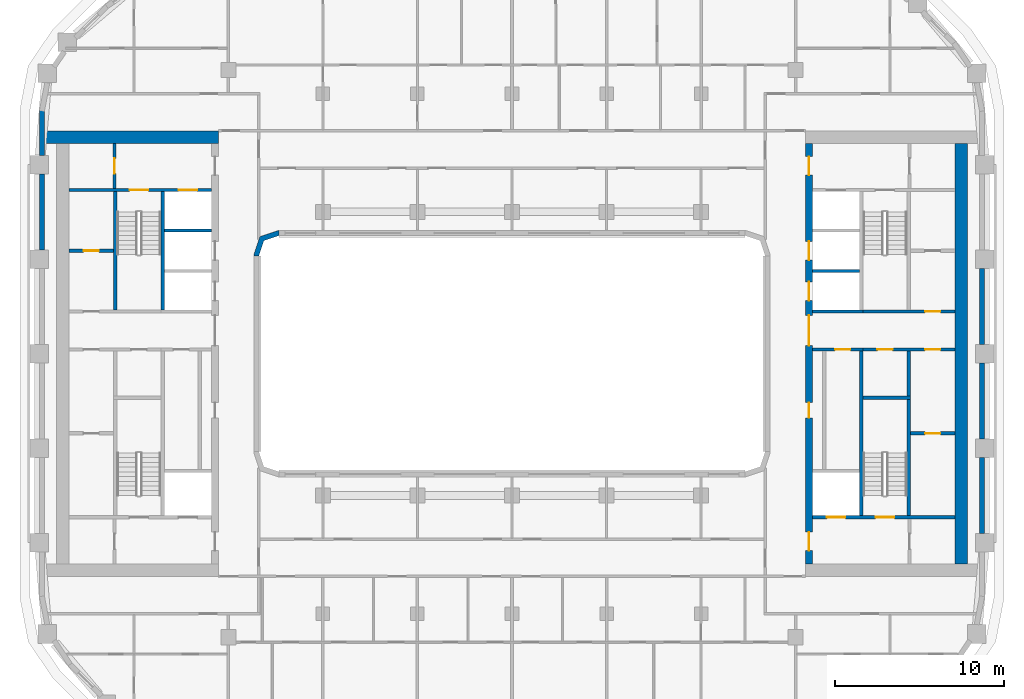
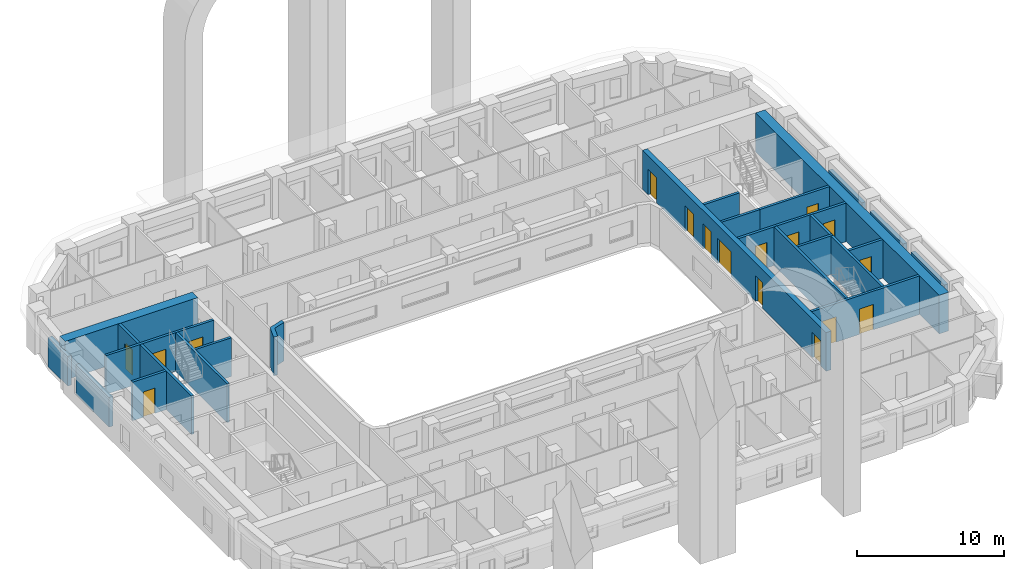
# One storey, part 6 of 18: 26 walls, 17 doors, 17 openings.
"""IFC4 building model written with IfcOpenShell, lengths in metres."""

import ifcopenshell
import ifcopenshell.guid

model = None  # the IFC model being written
_history = None  # IfcOwnerHistory: only IFC2X3 demands one
_inside = {}  # id of a spatial element -> (the spatial element, [elements in it])
_under = {}  # id of a project, library or spatial element -> (it, [spatial elements below it])
_declared = {}  # id of a project -> (the project, [libraries it declares])
_typed = {}  # id of a type object -> (the type object, [elements of that type])
_made_of = {}  # id of a material, layer set ... -> (it, [elements and type objects made of it])


def new_model(schema):
    """Start an empty IFC model of exactly this schema.

    Asked for "IFC4X3", IfcOpenShell would pick the latest addendum, in which some entities
    have other attributes; the version numbers below select the first issue.
    IFC2X3 requires an IfcOwnerHistory on every rooted entity: one is made here for all.
    """
    global model, _history
    if schema == "IFC4X3":
        model = ifcopenshell.file(schema_version=(4, 3, 0, 0))
    else:
        model = ifcopenshell.file(schema=schema)
    _inside.clear()
    _under.clear()
    _declared.clear()
    _typed.clear()
    _made_of.clear()
    _history = None
    if model.schema == "IFC2X3":
        org = make("IfcOrganization", Name="unknown")
        user = make(
            "IfcPersonAndOrganization",
            ThePerson=make("IfcPerson", FamilyName="unknown"),
            TheOrganization=org,
        )
        app = make(
            "IfcApplication",
            ApplicationDeveloper=org,
            Version="unknown",
            ApplicationFullName="unknown",
            ApplicationIdentifier="unknown",
        )
        _history = make(
            "IfcOwnerHistory",
            OwningUser=user,
            OwningApplication=app,
            ChangeAction="ADDED",
            CreationDate=0,
        )
    return model


def make(cls, **values):
    """One entity of the class cls with the attributes given. An attribute that is None is left unset."""
    return model.create_entity(
        cls, **{name: value for name, value in values.items() if value is not None}
    )


def rooted(cls, **values):
    """An entity with a GlobalId (a new one), such as an element, a storey or a relation."""
    return make(cls, GlobalId=ifcopenshell.guid.new(), OwnerHistory=_history, **values)


def si_unit(unit_type, name, prefix=None):
    """IfcSIUnit, for example si_unit("LENGTHUNIT", "METRE", prefix="MILLI")."""
    return make("IfcSIUnit", UnitType=unit_type, Prefix=prefix, Name=name)


def assignment(units):
    """IfcUnitAssignment: the units of a project."""
    return None if units is None else make("IfcUnitAssignment", Units=units)


def point(xyz):
    """IfcCartesianPoint."""
    return None if xyz is None else make("IfcCartesianPoint", Coordinates=xyz)


def direction(xyz):
    """IfcDirection."""
    return None if xyz is None else make("IfcDirection", DirectionRatios=xyz)


def frame(location, z_axis=None, x_axis=None):
    """IfcAxis2Placement3D, a coordinate frame: its origin and axes. An axis left out is left unset."""
    return make(
        "IfcAxis2Placement3D",
        Location=point(location),
        Axis=direction(z_axis),
        RefDirection=direction(x_axis),
    )


def frame_2d(location, x_axis=None):
    """IfcAxis2Placement2D, a coordinate frame in the plane: its origin and x axis."""
    return make(
        "IfcAxis2Placement2D", Location=point(location), RefDirection=direction(x_axis)
    )


def origin():
    """The frame at (0, 0, 0) with its axes left unset."""
    return frame((0.0, 0.0, 0.0))


def place(relative_to, where):
    """IfcLocalPlacement: puts the frame where relative to a parent placement (None: the world)."""
    return make(
        "IfcLocalPlacement", PlacementRelTo=relative_to, RelativePlacement=where
    )


def context(
    kind, dimensions, precision=None, world=None, true_north=None, identifier=None
):
    """IfcGeometricRepresentationContext, for example the 3D "Model" context."""
    return make(
        "IfcGeometricRepresentationContext",
        ContextIdentifier=identifier,
        ContextType=kind,
        CoordinateSpaceDimension=dimensions,
        Precision=precision,
        WorldCoordinateSystem=world,
        TrueNorth=true_north,
    )


def subcontext(parent, identifier, kind, view, scale=None):
    """IfcGeometricRepresentationSubContext, for example "Body" below "Model"."""
    return make(
        "IfcGeometricRepresentationSubContext",
        ContextIdentifier=identifier,
        ContextType=kind,
        ParentContext=parent,
        TargetScale=scale,
        TargetView=view,
    )


def project(units=None, contexts=None):
    """IfcProject with its units and contexts."""
    return rooted(
        "IfcProject",
        Name="project",
        RepresentationContexts=contexts,
        UnitsInContext=assignment(units),
    )


def spatial(cls, under=None, at=None, **own):
    """A site, building, storey or space (cls), placed at a placement, below another one or the project."""
    s = rooted(cls, ObjectPlacement=at, **own)
    if under is not None:
        _under.setdefault(under.id(), (under, []))[1].append(s)
    return s


def polyline(points):
    """IfcPolyline through the points."""
    return make("IfcPolyline", Points=[point(p) for p in points])


def profile(cls, at=None, kind="AREA", **sizes):
    """A parametric profile (cls). Its sizes go by their IFC names, for example OverallWidth=200.0."""
    return make(cls, ProfileType=kind, Position=at, **sizes)


def rectangle(**sizes):
    """IfcRectangleProfileDef."""
    return profile("IfcRectangleProfileDef", **sizes)


def outline(outer, holes=None, kind="AREA"):
    """IfcArbitraryClosedProfileDef: a profile drawn as a closed curve; with holes, ...WithVoids."""
    if holes is None:
        return make("IfcArbitraryClosedProfileDef", ProfileType=kind, OuterCurve=outer)
    return make(
        "IfcArbitraryProfileDefWithVoids",
        ProfileType=kind,
        OuterCurve=outer,
        InnerCurves=holes,
    )


def extrude(swept, where, along, depth):
    """IfcExtrudedAreaSolid: the profile swept, set in the frame where, extruded along a direction by depth."""
    return make(
        "IfcExtrudedAreaSolid",
        SweptArea=swept,
        Position=where,
        ExtrudedDirection=direction(along),
        Depth=depth,
    )


def shape(context_of_items, identifier, shape_type, items):
    """IfcShapeRepresentation: the items that make up one representation, for example the "Body"."""
    return make(
        "IfcShapeRepresentation",
        ContextOfItems=context_of_items,
        RepresentationIdentifier=identifier,
        RepresentationType=shape_type,
        Items=items,
    )


def material(Name=None, Category=None):
    """IfcMaterial."""
    return make("IfcMaterial", Name=Name, Category=Category)


def layer(
    of_material, thickness, ventilated=None, Name=None, Category=None, Priority=None
):
    """IfcMaterialLayer: one layer of a wall or slab, of a material (None: an air gap)."""
    return make(
        "IfcMaterialLayer",
        Material=of_material,
        LayerThickness=thickness,
        IsVentilated=ventilated,
        Name=Name,
        Category=Category,
        Priority=Priority,
    )


def layer_set(layers, Name=None):
    """IfcMaterialLayerSet."""
    return make("IfcMaterialLayerSet", MaterialLayers=layers, LayerSetName=Name)


def made_of(thing, what):
    """Note that an element or type object is made of a material, layer set ...; save() writes the relation."""
    if what is not None:
        _made_of.setdefault(what.id(), (what, []))[1].append(thing)
    return thing


def type_object(cls, material=None, **own):
    """A type object (cls), such as IfcWallType, which elements share."""
    return made_of(rooted(cls, **own), material)


def element(
    cls,
    number,
    at=None,
    inside=None,
    cuts=None,
    type_object=None,
    material=None,
    context=None,
    identifier="Body",
    shape_type=None,
    held_by="IfcProductDefinitionShape",
    body=None,
    shapes=None,
    **own,
):
    """One element of the class cls, such as IfcWall. Its Tag is "e" and its number.

    at: its placement. inside: the storey or other place that contains it. cuts: it is an
    opening in that element (IfcRelVoidsElement). A single representation is given by context,
    identifier, shape_type and body (its items); several are given by shapes. held_by: the class
    of the entity that holds the representations. save() writes the other relations.
    """
    e = rooted(cls, Tag="e%d" % number, ObjectPlacement=at, **own)
    if body is not None:
        shapes = [shape(context, identifier, shape_type, body)]
    if shapes is not None:
        e.Representation = make(held_by, Representations=shapes)
    if inside is not None:
        _inside.setdefault(inside.id(), (inside, []))[1].append(e)
    if cuts is not None:
        rooted(
            "IfcRelVoidsElement", RelatingBuildingElement=cuts, RelatedOpeningElement=e
        )
    if type_object is not None:
        _typed.setdefault(type_object.id(), (type_object, []))[1].append(e)
    return made_of(e, material)


def fill(opening, filler):
    """IfcRelFillsElement: the door or window that sits in an opening."""
    return rooted(
        "IfcRelFillsElement",
        RelatingOpeningElement=opening,
        RelatedBuildingElement=filler,
    )


def aggregate(whole, parts):
    """IfcRelAggregates: a whole, such as a stair, and the parts it consists of."""
    return rooted("IfcRelAggregates", RelatingObject=whole, RelatedObjects=parts)


def save(model, path):
    """Write the relations noted so far, then the file.

    IfcRelAggregates (storeys below a building ...), IfcRelContainedInSpatialStructure (elements
    in a storey), IfcRelDefinesByType, IfcRelAssociatesMaterial and IfcRelDeclares: one each for
    every whole, place, type object, material and project.
    """
    for whole, parts in _under.values():
        aggregate(whole, parts)
    for where, things in _inside.values():
        rooted(
            "IfcRelContainedInSpatialStructure",
            RelatedElements=things,
            RelatingStructure=where,
        )
    for kind, things in _typed.values():
        rooted("IfcRelDefinesByType", RelatedObjects=things, RelatingType=kind)
    for what, things in _made_of.values():
        rooted("IfcRelAssociatesMaterial", RelatedObjects=things, RelatingMaterial=what)
    for by, libraries in _declared.values():
        rooted("IfcRelDeclares", RelatingContext=by, RelatedDefinitions=libraries)
    model.write(path)


model = new_model("IFC4")

# Units and contexts
model_context = context("Model", 3, precision=1e-05, world=origin(), true_north=direction((0.0, 1.0)))
body_context = subcontext(model_context, "Body", "Model", "MODEL_VIEW")
ifc_project = project(units=[si_unit("LENGTHUNIT", "METRE"), si_unit("AREAUNIT", "SQUARE_METRE"), si_unit("VOLUMEUNIT", "CUBIC_METRE"), si_unit("PLANEANGLEUNIT", "RADIAN"), si_unit("MASSUNIT", "GRAM", prefix="KILO")], contexts=[model_context])

# Site, building, storey
site_placement = place(None, origin())
site = spatial("IfcSite", under=ifc_project, at=site_placement, CompositionType="ELEMENT")
building_placement = place(site_placement, origin())
building = spatial("IfcBuilding", under=site, at=building_placement, Name="Kiln Ring Residences", CompositionType="ELEMENT")
storey_placement = place(building_placement, frame((0.0, 0.0, 157.10009765625)))
storey = spatial("IfcBuildingStorey", under=building, at=storey_placement, Name="L40", CompositionType="ELEMENT", Elevation=157.10009765625)

# Wall, opening, door
ifc_material_1 = material(Name="Gypsum board on steel studs", Category="steel")
ifc_layer_1 = layer(ifc_material_1, 0.199951171875)
ifc_layer_set_1 = layer_set([ifc_layer_1], Name="CORE-PARTITION-200")
wall_type_1 = type_object("IfcWallType", Name="CORE-PARTITION-200", PredefinedType="PARTITIONING", material=ifc_layer_set_1)
wall_1_placement = place(storey_placement, frame((-23.550048828125, 9.800048828125, 0.0), z_axis=(0.0, 0.0, 1.0), x_axis=(0.0, 1.0, 0.0)))
wall_1 = element("IfcWall", 1, at=wall_1_placement, inside=storey, type_object=wall_type_1, Name="Core partition west L40 4", PredefinedType="PARTITIONING", context=body_context, shape_type="SweptSolid", body=[
    extrude(rectangle(XDim=2.64990234375, YDim=0.199951171875, at=frame_2d((1.324951171875, 0.0))), origin(), (0.0, 0.0, 1.0), 3.199951171875),
])
opening_1_placement = place(wall_1_placement, frame((0.875, 0.0, 0.0)))
opening_1 = element("IfcOpeningElement", 2, at=opening_1_placement, cuts=wall_1, Name="Opening L40-CW09", PredefinedType="OPENING", context=body_context, shape_type="SweptSolid", body=[
    extrude(rectangle(XDim=0.89990234375, YDim=2.10009765625, at=frame_2d((0.449951171875, 1.050048828125))), frame((0.0, 0.10986328125, 0.0), z_axis=(0.0, -1.0, 0.0), x_axis=(1.0, 0.0, 0.0)), (0.0, 0.0, 1.0), 0.219970703125),
])
ifc_material_2 = material(Name="Steel door leaf", Category="steel")
door_type_1 = type_object("IfcDoorType", Name="CORE-DOOR-ROOM", OperationType="SINGLE_SWING_LEFT", PredefinedType="DOOR", material=ifc_material_2)
door_1_placement = place(opening_1_placement, origin())
door_1 = element("IfcDoor", 3, at=door_1_placement, inside=storey, type_object=door_type_1, Name="Fire riser room L40-CW09", OperationType="SINGLE_SWING_LEFT", OverallHeight=2.10009765625, OverallWidth=0.89990234375, PredefinedType="DOOR", context=body_context, shape_type="SweptSolid", body=[
    extrude(rectangle(XDim=0.89990234375, YDim=2.10009765625, at=frame_2d((0.449951171875, 1.050048828125))), frame((0.0, 0.02490234375, 0.0), z_axis=(0.0, -1.0, 0.0), x_axis=(1.0, 0.0, 0.0)), (0.0, 0.0, 1.0), 0.050048828125),
])
fill(opening_1, door_1)

wall_2_placement = place(storey_placement, frame((-23.60009765625, 6.10009765625, 0.0), z_axis=(0.0, 0.0, 1.0), x_axis=(-1.0, 0.0, 0.0)))
wall_2 = element("IfcWall", 4, at=wall_2_placement, inside=storey, type_object=wall_type_1, Name="Core partition west L40 7", PredefinedType="PARTITIONING", context=body_context, shape_type="SweptSolid", body=[
    extrude(rectangle(XDim=2.64990234375, YDim=0.199951171875, at=frame_2d((1.324951171875, 0.0))), origin(), (0.0, 0.0, 1.0), 3.199951171875),
])
opening_2_placement = place(wall_2_placement, frame((0.875, 0.0, 0.0)))
opening_2 = element("IfcOpeningElement", 5, at=opening_2_placement, cuts=wall_2, Name="Opening L40-CW17", PredefinedType="OPENING", context=body_context, shape_type="SweptSolid", body=[
    extrude(rectangle(XDim=0.89990234375, YDim=2.10009765625, at=frame_2d((0.449951171875, 1.050048828125))), frame((0.0, 0.10986328125, 0.0), z_axis=(0.0, -1.0, 0.0), x_axis=(1.0, 0.0, 0.0)), (0.0, 0.0, 1.0), 0.219970703125),
])
door_2_placement = place(opening_2_placement, origin())
door_2 = element("IfcDoor", 6, at=door_2_placement, inside=storey, type_object=door_type_1, Name="Comms room L40-CW17", OperationType="SINGLE_SWING_RIGHT", OverallHeight=2.10009765625, OverallWidth=0.89990234375, PredefinedType="DOOR", context=body_context, shape_type="SweptSolid", body=[
    extrude(rectangle(XDim=0.89990234375, YDim=2.10009765625, at=frame_2d((0.449951171875, 1.050048828125))), frame((0.0, 0.02490234375, 0.0), z_axis=(0.0, -1.0, 0.0), x_axis=(1.0, 0.0, 0.0)), (0.0, 0.0, 1.0), 0.050048828125),
])
fill(opening_2, door_2)

# Wall
wall_3_placement = place(storey_placement, frame((23.5, -2.5, 0.0), z_axis=(0.0, 0.0, 1.0), x_axis=(0.0, 1.0, 0.0)))
element("IfcWall", 7, at=wall_3_placement, inside=storey, type_object=wall_type_1, Name="Core partition east L40 1", PredefinedType="PARTITIONING", context=body_context, shape_type="SweptSolid", body=[
    extrude(rectangle(XDim=2.64990234375, YDim=0.199951171875, at=frame_2d((1.324951171875, 0.0))), origin(), (0.0, 0.0, 1.0), 3.199951171875),
])

# Wall, openings, doors
wall_4_placement = place(storey_placement, frame((20.800048828125, 0.25, 0.0), z_axis=(0.0, 0.0, 1.0), x_axis=(1.0, 0.0, 0.0)))
wall_4 = element("IfcWall", 8, at=wall_4_placement, inside=storey, type_object=wall_type_1, Name="Core partition east L40 2", PredefinedType="PARTITIONING", context=body_context, shape_type="SweptSolid", body=[
    extrude(rectangle(XDim=5.449951171875, YDim=0.199951171875, at=frame_2d((2.72509765625, 0.0))), origin(), (0.0, 0.0, 1.0), 3.199951171875),
])
opening_3_placement = place(wall_4_placement, frame((0.85009765625, 0.0, 0.0)))
opening_3 = element("IfcOpeningElement", 9, at=opening_3_placement, cuts=wall_4, Name="Opening L40-CE14", PredefinedType="OPENING", context=body_context, shape_type="SweptSolid", body=[
    extrude(rectangle(XDim=0.89990234375, YDim=2.10009765625, at=frame_2d((0.449951171875, 1.050048828125))), frame((0.0, 0.10986328125, 0.0), z_axis=(0.0, -1.0, 0.0), x_axis=(1.0, 0.0, 0.0)), (0.0, 0.0, 1.0), 0.219970703125),
])
opening_4_placement = place(wall_4_placement, frame((3.675048828125, 0.0, 0.0)))
opening_4 = element("IfcOpeningElement", 10, at=opening_4_placement, cuts=wall_4, Name="Opening L40-CE16", PredefinedType="OPENING", context=body_context, shape_type="SweptSolid", body=[
    extrude(rectangle(XDim=0.89990234375, YDim=2.10009765625, at=frame_2d((0.449951171875, 1.050048828125))), frame((0.0, 0.10986328125, 0.0), z_axis=(0.0, -1.0, 0.0), x_axis=(1.0, 0.0, 0.0)), (0.0, 0.0, 1.0), 0.219970703125),
])
door_3_placement = place(opening_3_placement, origin())
door_3 = element("IfcDoor", 11, at=door_3_placement, inside=storey, type_object=door_type_1, Name="Comms room L40-CE14", OperationType="SINGLE_SWING_LEFT", OverallHeight=2.10009765625, OverallWidth=0.89990234375, PredefinedType="DOOR", context=body_context, shape_type="SweptSolid", body=[
    extrude(rectangle(XDim=0.89990234375, YDim=2.10009765625, at=frame_2d((0.449951171875, 1.050048828125))), frame((0.0, 0.02490234375, 0.0), z_axis=(0.0, -1.0, 0.0), x_axis=(1.0, 0.0, 0.0)), (0.0, 0.0, 1.0), 0.050048828125),
])
fill(opening_3, door_3)
door_4_placement = place(opening_4_placement, origin())
door_4 = element("IfcDoor", 12, at=door_4_placement, inside=storey, type_object=door_type_1, Name="Meter room L40-CE16", OperationType="SINGLE_SWING_LEFT", OverallHeight=2.10009765625, OverallWidth=0.89990234375, PredefinedType="DOOR", context=body_context, shape_type="SweptSolid", body=[
    extrude(rectangle(XDim=0.89990234375, YDim=2.10009765625, at=frame_2d((0.449951171875, 1.050048828125))), frame((0.0, 0.02490234375, 0.0), z_axis=(0.0, -1.0, 0.0), x_axis=(1.0, 0.0, 0.0)), (0.0, 0.0, 1.0), 0.050048828125),
])
fill(opening_4, door_4)

# Wall, opening, door
wall_5_placement = place(storey_placement, frame((23.60009765625, -4.72509765625, 0.0), z_axis=(0.0, 0.0, 1.0), x_axis=(1.0, 0.0, 0.0)))
wall_5 = element("IfcWall", 13, at=wall_5_placement, inside=storey, type_object=wall_type_1, Name="Core partition east L40 6", PredefinedType="PARTITIONING", context=body_context, shape_type="SweptSolid", body=[
    extrude(rectangle(XDim=2.64990234375, YDim=0.199951171875, at=frame_2d((1.324951171875, 0.0))), origin(), (0.0, 0.0, 1.0), 3.199951171875),
])
opening_5_placement = place(wall_5_placement, frame((0.875, 0.0, 0.0)))
opening_5 = element("IfcOpeningElement", 14, at=opening_5_placement, cuts=wall_5, Name="Opening L40-CE15", PredefinedType="OPENING", context=body_context, shape_type="SweptSolid", body=[
    extrude(rectangle(XDim=0.89990234375, YDim=2.10009765625, at=frame_2d((0.449951171875, 1.050048828125))), frame((0.0, 0.10986328125, 0.0), z_axis=(0.0, -1.0, 0.0), x_axis=(1.0, 0.0, 0.0)), (0.0, 0.0, 1.0), 0.219970703125),
])
door_5_placement = place(opening_5_placement, origin())
door_5 = element("IfcDoor", 15, at=door_5_placement, inside=storey, type_object=door_type_1, Name="Meter room L40-CE15", OperationType="SINGLE_SWING_LEFT", OverallHeight=2.10009765625, OverallWidth=0.89990234375, PredefinedType="DOOR", context=body_context, shape_type="SweptSolid", body=[
    extrude(rectangle(XDim=0.89990234375, YDim=2.10009765625, at=frame_2d((0.449951171875, 1.050048828125))), frame((0.0, 0.02490234375, 0.0), z_axis=(0.0, -1.0, 0.0), x_axis=(1.0, 0.0, 0.0)), (0.0, 0.0, 1.0), 0.050048828125),
])
fill(opening_5, door_5)

# Wall
ifc_material_3 = material(Name="Gypsum shaft wall system")
ifc_layer_2 = layer(ifc_material_3, 0.199951171875)
ifc_layer_set_2 = layer_set([ifc_layer_2], Name="CORE-SHAFT-WALL-200")
wall_type_2 = type_object("IfcWallType", Name="CORE-SHAFT-WALL-200", PredefinedType="PARTITIONING", material=ifc_layer_set_2)
wall_6_placement = place(storey_placement, frame((-17.800048828125, 7.300048828125, 0.0), z_axis=(0.0, 0.0, 1.0), x_axis=(-1.0, 0.0, 0.0)))
element("IfcWall", 16, at=wall_6_placement, inside=storey, type_object=wall_type_2, Name="Core partition west L40 12", PredefinedType="PARTITIONING", context=body_context, shape_type="SweptSolid", body=[
    extrude(rectangle(XDim=2.800048828125, YDim=0.199951171875, at=frame_2d((1.39990234375, 0.0))), origin(), (0.0, 0.0, 1.0), 3.199951171875),
])

# Wall, opening, door
wall_7_placement = place(storey_placement, frame((17.800048828125, 0.25, 0.0), z_axis=(0.0, 0.0, 1.0), x_axis=(1.0, 0.0, 0.0)))
wall_7 = element("IfcWall", 17, at=wall_7_placement, inside=storey, type_object=wall_type_2, Name="Core partition east L40 9", PredefinedType="PARTITIONING", context=body_context, shape_type="SweptSolid", body=[
    extrude(rectangle(XDim=3.0, YDim=0.199951171875, at=frame_2d((1.5, 0.0))), origin(), (0.0, 0.0, 1.0), 3.199951171875),
])
opening_6_placement = place(wall_7_placement, frame((1.35009765625, 0.0, 0.0)))
opening_6 = element("IfcOpeningElement", 18, at=opening_6_placement, cuts=wall_7, Name="Opening L40-CE03", PredefinedType="OPENING", context=body_context, shape_type="SweptSolid", body=[
    extrude(rectangle(XDim=0.89990234375, YDim=2.10009765625, at=frame_2d((0.449951171875, 1.050048828125))), frame((0.0, 0.10986328125, 0.0), z_axis=(0.0, -1.0, 0.0), x_axis=(1.0, 0.0, 0.0)), (0.0, 0.0, 1.0), 0.219970703125),
])
door_6_placement = place(opening_6_placement, origin())
door_6 = element("IfcDoor", 19, at=door_6_placement, inside=storey, type_object=door_type_1, Name="Service store L40-CE03", OperationType="SINGLE_SWING_RIGHT", OverallHeight=2.10009765625, OverallWidth=0.89990234375, PredefinedType="DOOR", context=body_context, shape_type="SweptSolid", body=[
    extrude(rectangle(XDim=0.89990234375, YDim=2.10009765625, at=frame_2d((0.449951171875, 1.050048828125))), frame((0.0, 0.02490234375, 0.0), z_axis=(0.0, -1.0, 0.0), x_axis=(1.0, 0.0, 0.0)), (0.0, 0.0, 1.0), 0.050048828125),
])
fill(opening_6, door_6)

# Walls
wall_8_placement = place(storey_placement, frame((17.800048828125, 2.5, 0.0), z_axis=(0.0, 0.0, 1.0), x_axis=(1.0, 0.0, 0.0)))
element("IfcWall", 20, at=wall_8_placement, inside=storey, type_object=wall_type_2, Name="Core partition east L40 10", PredefinedType="PARTITIONING", context=body_context, shape_type="SweptSolid", body=[
    extrude(rectangle(XDim=3.0, YDim=0.199951171875, at=frame_2d((1.5, 0.0))), origin(), (0.0, 0.0, 1.0), 3.199951171875),
])
wall_9_placement = place(storey_placement, frame((17.800048828125, 4.89990234375, 0.0), z_axis=(0.0, 0.0, 1.0), x_axis=(1.0, 0.0, 0.0)))
element("IfcWall", 21, at=wall_9_placement, inside=storey, type_object=wall_type_2, Name="Core partition east L40 11", PredefinedType="PARTITIONING", context=body_context, shape_type="SweptSolid", body=[
    extrude(rectangle(XDim=2.800048828125, YDim=0.199951171875, at=frame_2d((1.39990234375, 0.0))), origin(), (0.0, 0.0, 1.0), 3.199951171875),
])
ifc_material_4 = material(Name="Concrete C40/50", Category="concrete")
ifc_layer_3 = layer(ifc_material_4, 0.199951171875)
ifc_layer_set_3 = layer_set([ifc_layer_3], Name="CORE-WALL-RC200")
wall_type_3 = type_object("IfcWallType", Name="CORE-WALL-RC200", PredefinedType="SHEAR", material=ifc_layer_set_3)
wall_10_placement = place(storey_placement, frame((-20.699951171875, 2.60009765625, 0.0), z_axis=(0.0, 0.0, 1.0), x_axis=(0.0, 1.0, 0.0)))
element("IfcWall", 22, at=wall_10_placement, inside=storey, type_object=wall_type_3, Name="Core wall west L40 1", PredefinedType="SHEAR", context=body_context, shape_type="SweptSolid", body=[
    extrude(rectangle(XDim=7.0, YDim=0.199951171875, at=frame_2d((3.5, 0.0))), origin(), (0.0, 0.0, 1.0), 3.199951171875),
])

# Wall, openings, doors
wall_11_placement = place(storey_placement, frame((-17.800048828125, 9.699951171875, 0.0), z_axis=(0.0, 0.0, 1.0), x_axis=(-1.0, 0.0, 0.0)))
wall_11 = element("IfcWall", 23, at=wall_11_placement, inside=storey, type_object=wall_type_3, Name="Core wall west L40 9", PredefinedType="SHEAR", context=body_context, shape_type="SweptSolid", body=[
    extrude(rectangle(XDim=8.449951171875, YDim=0.199951171875, at=frame_2d((4.22509765625, 0.0))), origin(), (0.0, 0.0, 1.0), 3.199951171875),
])
opening_7_placement = place(wall_11_placement, frame((0.85009765625, 0.0, 0.0)))
opening_7 = element("IfcOpeningElement", 24, at=opening_7_placement, cuts=wall_11, Name="Opening L40-CW06", PredefinedType="OPENING", context=body_context, shape_type="SweptSolid", body=[
    extrude(rectangle(XDim=1.10009765625, YDim=2.10009765625, at=frame_2d((0.550048828125, 1.050048828125))), frame((0.0, 0.10986328125, 0.0), z_axis=(0.0, -1.0, 0.0), x_axis=(1.0, 0.0, 0.0)), (0.0, 0.0, 1.0), 0.219970703125),
])
opening_8_placement = place(wall_11_placement, frame((3.75, 0.0, 0.0)))
opening_8 = element("IfcOpeningElement", 25, at=opening_8_placement, cuts=wall_11, Name="Opening L40-CW11", PredefinedType="OPENING", context=body_context, shape_type="SweptSolid", body=[
    extrude(rectangle(XDim=1.10009765625, YDim=2.10009765625, at=frame_2d((0.550048828125, 1.050048828125))), frame((0.0, 0.10986328125, 0.0), z_axis=(0.0, -1.0, 0.0), x_axis=(1.0, 0.0, 0.0)), (0.0, 0.0, 1.0), 0.219970703125),
])
ifc_material_5 = material(Name="Steel door leaf", Category="steel")
door_type_2 = type_object("IfcDoorType", Name="CORE-DOOR-LD", OperationType="DOUBLE_DOOR_SLIDING", PredefinedType="DOOR", material=ifc_material_5)
door_7_placement = place(opening_7_placement, origin())
door_7 = element("IfcDoor", 26, at=door_7_placement, inside=storey, type_object=door_type_2, Name="LD W-FF L40-CW06", OperationType="DOUBLE_DOOR_SLIDING", OverallHeight=2.10009765625, OverallWidth=1.10009765625, PredefinedType="DOOR", context=body_context, shape_type="SweptSolid", body=[
    extrude(rectangle(XDim=1.10009765625, YDim=2.10009765625, at=frame_2d((0.550048828125, 1.050048828125))), frame((0.0, 0.02490234375, 0.0), z_axis=(0.0, -1.0, 0.0), x_axis=(1.0, 0.0, 0.0)), (0.0, 0.0, 1.0), 0.050048828125),
])
fill(opening_7, door_7)
ifc_material_6 = material(Name="Steel door leaf", Category="steel")
door_type_3 = type_object("IfcDoorType", Name="CORE-DOOR-STAIR", OperationType="SINGLE_SWING_LEFT", PredefinedType="DOOR", material=ifc_material_6)
door_8_placement = place(opening_8_placement, origin())
door_8 = element("IfcDoor", 27, at=door_8_placement, inside=storey, type_object=door_type_3, Name="Stair W-STN L40-CW11", OperationType="SINGLE_SWING_LEFT", OverallHeight=2.10009765625, OverallWidth=1.10009765625, PredefinedType="DOOR", context=body_context, shape_type="SweptSolid", body=[
    extrude(rectangle(XDim=1.10009765625, YDim=2.10009765625, at=frame_2d((0.550048828125, 1.050048828125))), frame((0.0, 0.02490234375, 0.0), z_axis=(0.0, -1.0, 0.0), x_axis=(1.0, 0.0, 0.0)), (0.0, 0.0, 1.0), 0.050048828125),
])
fill(opening_8, door_8)

# Walls
wall_12_placement = place(storey_placement, frame((-23.5, 2.60009765625, 0.0), z_axis=(0.0, 0.0, 1.0), x_axis=(0.0, 1.0, 0.0)))
element("IfcWall", 28, at=wall_12_placement, inside=storey, type_object=wall_type_3, Name="Core wall west L40 10", PredefinedType="SHEAR", context=body_context, shape_type="SweptSolid", body=[
    extrude(rectangle(XDim=7.0, YDim=0.199951171875, at=frame_2d((3.5, 0.0))), origin(), (0.0, 0.0, 1.0), 3.199951171875),
])
wall_13_placement = place(storey_placement, frame((20.699951171875, -9.60009765625, 0.0), z_axis=(0.0, 0.0, 1.0), x_axis=(0.0, 1.0, 0.0)))
element("IfcWall", 29, at=wall_13_placement, inside=storey, type_object=wall_type_3, Name="Core wall east L40 2", PredefinedType="SHEAR", context=body_context, shape_type="SweptSolid", body=[
    extrude(rectangle(XDim=9.75, YDim=0.199951171875, at=frame_2d((4.875, 0.0))), origin(), (0.0, 0.0, 1.0), 3.199951171875),
])

# Wall, opening, door
wall_14_placement = place(storey_placement, frame((20.800048828125, 2.5, 0.0), z_axis=(0.0, 0.0, 1.0), x_axis=(1.0, 0.0, 0.0)))
wall_14 = element("IfcWall", 30, at=wall_14_placement, inside=storey, type_object=wall_type_3, Name="Core wall east L40 3", PredefinedType="SHEAR", context=body_context, shape_type="SweptSolid", body=[
    extrude(rectangle(XDim=5.449951171875, YDim=0.199951171875, at=frame_2d((2.72509765625, 0.0))), origin(), (0.0, 0.0, 1.0), 3.199951171875),
])
opening_9_placement = place(wall_14_placement, frame((3.675048828125, 0.0, 0.0)))
opening_9 = element("IfcOpeningElement", 31, at=opening_9_placement, cuts=wall_14, Name="Opening L40-CE18", PredefinedType="OPENING", context=body_context, shape_type="SweptSolid", body=[
    extrude(rectangle(XDim=0.89990234375, YDim=2.10009765625, at=frame_2d((0.449951171875, 1.050048828125))), frame((0.0, 0.10986328125, 0.0), z_axis=(0.0, -1.0, 0.0), x_axis=(1.0, 0.0, 0.0)), (0.0, 0.0, 1.0), 0.219970703125),
])
door_9_placement = place(opening_9_placement, origin())
door_9 = element("IfcDoor", 32, at=door_9_placement, inside=storey, type_object=door_type_1, Name="Electrical plant room L40-CE18", OperationType="SINGLE_SWING_RIGHT", OverallHeight=2.10009765625, OverallWidth=0.89990234375, PredefinedType="DOOR", context=body_context, shape_type="SweptSolid", body=[
    extrude(rectangle(XDim=0.89990234375, YDim=2.10009765625, at=frame_2d((0.449951171875, 1.050048828125))), frame((0.0, 0.02490234375, 0.0), z_axis=(0.0, -1.0, 0.0), x_axis=(1.0, 0.0, 0.0)), (0.0, 0.0, 1.0), 0.050048828125),
])
fill(opening_9, door_9)

# Wall, openings, doors
wall_15_placement = place(storey_placement, frame((17.800048828125, -9.699951171875, 0.0), z_axis=(0.0, 0.0, 1.0), x_axis=(1.0, 0.0, 0.0)))
wall_15 = element("IfcWall", 33, at=wall_15_placement, inside=storey, type_object=wall_type_3, Name="Core wall east L40 8", PredefinedType="SHEAR", context=body_context, shape_type="SweptSolid", body=[
    extrude(rectangle(XDim=8.449951171875, YDim=0.199951171875, at=frame_2d((4.22509765625, 0.0))), origin(), (0.0, 0.0, 1.0), 3.199951171875),
])
opening_10_placement = place(wall_15_placement, frame((0.85009765625, 0.0, 0.0)))
opening_10 = element("IfcOpeningElement", 34, at=opening_10_placement, cuts=wall_15, Name="Opening L40-CE01", PredefinedType="OPENING", context=body_context, shape_type="SweptSolid", body=[
    extrude(rectangle(XDim=1.10009765625, YDim=2.10009765625, at=frame_2d((0.550048828125, 1.050048828125))), frame((0.0, 0.10986328125, 0.0), z_axis=(0.0, -1.0, 0.0), x_axis=(1.0, 0.0, 0.0)), (0.0, 0.0, 1.0), 0.219970703125),
])
opening_11_placement = place(wall_15_placement, frame((3.75, 0.0, 0.0)))
opening_11 = element("IfcOpeningElement", 35, at=opening_11_placement, cuts=wall_15, Name="Opening L40-CE12", PredefinedType="OPENING", context=body_context, shape_type="SweptSolid", body=[
    extrude(rectangle(XDim=1.10009765625, YDim=2.10009765625, at=frame_2d((0.550048828125, 1.050048828125))), frame((0.0, 0.10986328125, 0.0), z_axis=(0.0, -1.0, 0.0), x_axis=(1.0, 0.0, 0.0)), (0.0, 0.0, 1.0), 0.219970703125),
])
door_10_placement = place(opening_10_placement, origin())
door_10 = element("IfcDoor", 36, at=door_10_placement, inside=storey, type_object=door_type_2, Name="LD E-SV L40-CE01", OperationType="DOUBLE_DOOR_SLIDING", OverallHeight=2.10009765625, OverallWidth=1.10009765625, PredefinedType="DOOR", context=body_context, shape_type="SweptSolid", body=[
    extrude(rectangle(XDim=1.10009765625, YDim=2.10009765625, at=frame_2d((0.550048828125, 1.050048828125))), frame((0.0, 0.02490234375, 0.0), z_axis=(0.0, -1.0, 0.0), x_axis=(1.0, 0.0, 0.0)), (0.0, 0.0, 1.0), 0.050048828125),
])
fill(opening_10, door_10)
door_11_placement = place(opening_11_placement, origin())
door_11 = element("IfcDoor", 37, at=door_11_placement, inside=storey, type_object=door_type_3, Name="Stair E-STS L40-CE12", OperationType="SINGLE_SWING_RIGHT", OverallHeight=2.10009765625, OverallWidth=1.10009765625, PredefinedType="DOOR", context=body_context, shape_type="SweptSolid", body=[
    extrude(rectangle(XDim=1.10009765625, YDim=2.10009765625, at=frame_2d((0.550048828125, 1.050048828125))), frame((0.0, 0.02490234375, 0.0), z_axis=(0.0, -1.0, 0.0), x_axis=(1.0, 0.0, 0.0)), (0.0, 0.0, 1.0), 0.050048828125),
])
fill(opening_11, door_11)

# Walls
wall_16_placement = place(storey_placement, frame((23.5, -9.60009765625, 0.0), z_axis=(0.0, 0.0, 1.0), x_axis=(0.0, 1.0, 0.0)))
element("IfcWall", 38, at=wall_16_placement, inside=storey, type_object=wall_type_3, Name="Core wall east L40 11", PredefinedType="SHEAR", context=body_context, shape_type="SweptSolid", body=[
    extrude(rectangle(XDim=6.900146484375, YDim=0.199951171875, at=frame_2d((3.4501953125, 0.0))), origin(), (0.0, 0.0, 1.0), 3.199951171875),
])
wall_17_placement = place(storey_placement, frame((20.800048828125, -2.60009765625, 0.0), z_axis=(0.0, 0.0, 1.0), x_axis=(1.0, 0.0, 0.0)))
element("IfcWall", 39, at=wall_17_placement, inside=storey, type_object=wall_type_3, Name="Core wall east L40 12", PredefinedType="SHEAR", context=body_context, shape_type="SweptSolid", body=[
    extrude(rectangle(XDim=2.800048828125, YDim=0.199951171875, at=frame_2d((1.39990234375, 0.0))), origin(), (0.0, 0.0, 1.0), 3.199951171875),
])

# Wall, openings, doors
ifc_material_7 = material(Name="Concrete C60/75", Category="concrete")
ifc_layer_4 = layer(ifc_material_7, 0.39990234375)
ifc_layer_set_4 = layer_set([ifc_layer_4], Name="CORE-WALL-RC400")
wall_type_4 = type_object("IfcWallType", Name="CORE-WALL-RC400", PredefinedType="SHEAR", material=ifc_layer_set_4)
wall_18_placement = place(storey_placement, frame((17.60009765625, -12.449951171875, 0.0), z_axis=(0.0, 0.0, 1.0), x_axis=(0.0, 1.0, 0.0)))
wall_18 = element("IfcWall", 40, at=wall_18_placement, inside=storey, type_object=wall_type_4, Name="Core wall east L40 6", PredefinedType="SHEAR", context=body_context, shape_type="SweptSolid", body=[
    extrude(rectangle(XDim=24.89990234375, YDim=0.39990234375, at=frame_2d((12.449951171875, 0.0))), origin(), (0.0, 0.0, 1.0), 3.199951171875),
])
opening_12_placement = place(wall_18_placement, frame((8.64990234375, 0.0, 0.0)))
opening_12 = element("IfcOpeningElement", 41, at=opening_12_placement, cuts=wall_18, Name="Opening L40-CE02", PredefinedType="OPENING", context=body_context, shape_type="SweptSolid", body=[
    extrude(rectangle(XDim=0.89990234375, YDim=2.10009765625, at=frame_2d((0.449951171875, 1.050048828125))), frame((0.0, 0.2099609375, 0.0), z_axis=(0.0, -1.0, 0.0), x_axis=(1.0, 0.0, 0.0)), (0.0, 0.0, 1.0), 0.419921875),
])
opening_13_placement = place(wall_18_placement, frame((15.60009765625, 0.0, 0.0)))
opening_13 = element("IfcOpeningElement", 42, at=opening_13_placement, cuts=wall_18, Name="Opening L40-CE04", PredefinedType="OPENING", context=body_context, shape_type="SweptSolid", body=[
    extrude(rectangle(XDim=1.10009765625, YDim=2.10009765625, at=frame_2d((0.550048828125, 1.050048828125))), frame((0.0, 0.2099609375, 0.0), z_axis=(0.0, -1.0, 0.0), x_axis=(1.0, 0.0, 0.0)), (0.0, 0.0, 1.0), 0.419921875),
])
opening_14_placement = place(wall_18_placement, frame((18.0, 0.0, 0.0)))
opening_14 = element("IfcOpeningElement", 43, at=opening_14_placement, cuts=wall_18, Name="Opening L40-CE05", PredefinedType="OPENING", context=body_context, shape_type="SweptSolid", body=[
    extrude(rectangle(XDim=1.10009765625, YDim=2.10009765625, at=frame_2d((0.550048828125, 1.050048828125))), frame((0.0, 0.2099609375, 0.0), z_axis=(0.0, -1.0, 0.0), x_axis=(1.0, 0.0, 0.0)), (0.0, 0.0, 1.0), 0.419921875),
])
opening_15_placement = place(wall_18_placement, frame((23.02490234375, 0.0, 0.0)))
opening_15 = element("IfcOpeningElement", 44, at=opening_15_placement, cuts=wall_18, Name="Opening L40-CE07", PredefinedType="OPENING", context=body_context, shape_type="SweptSolid", body=[
    extrude(rectangle(XDim=1.10009765625, YDim=2.10009765625, at=frame_2d((0.550048828125, 1.050048828125))), frame((0.0, 0.2099609375, 0.0), z_axis=(0.0, -1.0, 0.0), x_axis=(1.0, 0.0, 0.0)), (0.0, 0.0, 1.0), 0.419921875),
])
opening_16_placement = place(wall_18_placement, frame((0.77490234375, 0.0, 0.0)))
opening_16 = element("IfcOpeningElement", 45, at=opening_16_placement, cuts=wall_18, Name="Opening L40-CE08", PredefinedType="OPENING", context=body_context, shape_type="SweptSolid", body=[
    extrude(rectangle(XDim=1.10009765625, YDim=2.10009765625, at=frame_2d((0.550048828125, 1.050048828125))), frame((0.0, 0.2099609375, 0.0), z_axis=(0.0, -1.0, 0.0), x_axis=(1.0, 0.0, 0.0)), (0.0, 0.0, 1.0), 0.419921875),
])
opening_17_placement = place(wall_18_placement, frame((12.925048828125, 0.0, 0.0)))
opening_17 = element("IfcOpeningElement", 46, at=opening_17_placement, cuts=wall_18, Name="Opening L40-CE13", PredefinedType="OPENING", context=body_context, shape_type="SweptSolid", body=[
    extrude(rectangle(XDim=1.800048828125, YDim=2.10009765625, at=frame_2d((0.89990234375, 1.050048828125))), frame((0.0, 0.2099609375, 0.0), z_axis=(0.0, -1.0, 0.0), x_axis=(1.0, 0.0, 0.0)), (0.0, 0.0, 1.0), 0.419921875),
])
door_12_placement = place(opening_13_placement, origin())
door_12 = element("IfcDoor", 47, at=door_12_placement, inside=storey, type_object=door_type_2, Name="LD E-M1 L40-CE04", OperationType="DOUBLE_DOOR_SLIDING", OverallHeight=2.10009765625, OverallWidth=1.10009765625, PredefinedType="DOOR", context=body_context, shape_type="SweptSolid", body=[
    extrude(rectangle(XDim=1.10009765625, YDim=2.10009765625, at=frame_2d((0.550048828125, 1.050048828125))), frame((0.0, 0.02490234375, 0.0), z_axis=(0.0, -1.0, 0.0), x_axis=(1.0, 0.0, 0.0)), (0.0, 0.0, 1.0), 0.050048828125),
])
fill(opening_13, door_12)
door_13_placement = place(opening_14_placement, origin())
door_13 = element("IfcDoor", 48, at=door_13_placement, inside=storey, type_object=door_type_2, Name="LD E-M2 L40-CE05", OperationType="DOUBLE_DOOR_SLIDING", OverallHeight=2.10009765625, OverallWidth=1.10009765625, PredefinedType="DOOR", context=body_context, shape_type="SweptSolid", body=[
    extrude(rectangle(XDim=1.10009765625, YDim=2.10009765625, at=frame_2d((0.550048828125, 1.050048828125))), frame((0.0, 0.02490234375, 0.0), z_axis=(0.0, -1.0, 0.0), x_axis=(1.0, 0.0, 0.0)), (0.0, 0.0, 1.0), 0.050048828125),
])
fill(opening_14, door_13)
ifc_material_8 = material(Name="Steel door leaf", Category="steel")
door_type_4 = type_object("IfcDoorType", Name="CORE-DOOR-LOBBY", OperationType="SINGLE_SWING_LEFT", PredefinedType="DOOR", material=ifc_material_8)
door_14_placement = place(opening_15_placement, origin())
door_14 = element("IfcDoor", 49, at=door_14_placement, inside=storey, type_object=door_type_4, Name="FFL L40-CE07", OperationType="SINGLE_SWING_LEFT", OverallHeight=2.10009765625, OverallWidth=1.10009765625, PredefinedType="DOOR", context=body_context, shape_type="SweptSolid", body=[
    extrude(rectangle(XDim=1.10009765625, YDim=2.10009765625, at=frame_2d((0.550048828125, 1.050048828125))), frame((0.0, 0.02490234375, 0.0), z_axis=(0.0, -1.0, 0.0), x_axis=(1.0, 0.0, 0.0)), (0.0, 0.0, 1.0), 0.050048828125),
])
fill(opening_15, door_14)
door_15_placement = place(opening_16_placement, origin())
door_15 = element("IfcDoor", 50, at=door_15_placement, inside=storey, type_object=door_type_4, Name="SVL L40-CE08", OperationType="SINGLE_SWING_RIGHT", OverallHeight=2.10009765625, OverallWidth=1.10009765625, PredefinedType="DOOR", context=body_context, shape_type="SweptSolid", body=[
    extrude(rectangle(XDim=1.10009765625, YDim=2.10009765625, at=frame_2d((0.550048828125, 1.050048828125))), frame((0.0, 0.02490234375, 0.0), z_axis=(0.0, -1.0, 0.0), x_axis=(1.0, 0.0, 0.0)), (0.0, 0.0, 1.0), 0.050048828125),
])
fill(opening_16, door_15)
ifc_material_9 = material(Name="Steel door leaf", Category="steel")
door_type_5 = type_object("IfcDoorType", Name="CORE-DOOR-PASS", OperationType="DOUBLE_DOOR_SINGLE_SWING", PredefinedType="DOOR", material=ifc_material_9)
door_16_placement = place(opening_17_placement, origin())
door_16 = element("IfcDoor", 51, at=door_16_placement, inside=storey, type_object=door_type_5, Name="Core passage L40-CE13", OperationType="DOUBLE_DOOR_SINGLE_SWING", OverallHeight=2.10009765625, OverallWidth=1.800048828125, PredefinedType="DOOR", context=body_context, shape_type="SweptSolid", body=[
    extrude(rectangle(XDim=1.800048828125, YDim=2.10009765625, at=frame_2d((0.89990234375, 1.050048828125))), frame((0.0, 0.02490234375, 0.0), z_axis=(0.0, -1.0, 0.0), x_axis=(1.0, 0.0, 0.0)), (0.0, 0.0, 1.0), 0.050048828125),
])
fill(opening_17, door_16)
door_17_placement = place(opening_12_placement, origin())
door_17 = element("IfcDoor", 52, at=door_17_placement, inside=storey, type_object=door_type_1, Name="Locker store L40-CE02", OperationType="SINGLE_SWING_LEFT", OverallHeight=2.10009765625, OverallWidth=0.89990234375, PredefinedType="DOOR", context=body_context, shape_type="SweptSolid", body=[
    extrude(rectangle(XDim=0.89990234375, YDim=2.10009765625, at=frame_2d((0.449951171875, 1.050048828125))), frame((0.0, 0.02490234375, 0.0), z_axis=(0.0, -1.0, 0.0), x_axis=(1.0, 0.0, 0.0)), (0.0, 0.0, 1.0), 0.050048828125),
])
fill(opening_12, door_17)

# Walls
ifc_material_10 = material(Name="Concrete C60/75", Category="concrete")
ifc_layer_5 = layer(ifc_material_10, 0.75)
ifc_layer_set_5 = layer_set([ifc_layer_5], Name="CORE-WALL-RC750")
wall_type_5 = type_object("IfcWallType", Name="CORE-WALL-RC750", PredefinedType="SHEAR", material=ifc_layer_set_5)
wall_19_placement = place(storey_placement, frame((-17.39990234375, 12.824951171875, 0.0), z_axis=(0.0, 0.0, 1.0), x_axis=(-1.0, 0.0, 0.0)))
element("IfcWall", 53, at=wall_19_placement, inside=storey, type_object=wall_type_5, Name="Core wall west L40 4", PredefinedType="SHEAR", context=body_context, shape_type="SweptSolid", body=[
    extrude(rectangle(XDim=10.400146484375, YDim=0.75, at=frame_2d((5.2001953125, 0.0))), origin(), (0.0, 0.0, 1.0), 3.199951171875),
])
wall_20_placement = place(storey_placement, frame((26.625, -12.449951171875, 0.0), z_axis=(0.0, 0.0, 1.0), x_axis=(0.0, 1.0, 0.0)))
element("IfcWall", 54, at=wall_20_placement, inside=storey, type_object=wall_type_5, Name="Core wall east L40 7", PredefinedType="SHEAR", context=body_context, shape_type="SweptSolid", body=[
    extrude(rectangle(XDim=24.89990234375, YDim=0.75, at=frame_2d((12.449951171875, 0.0))), origin(), (0.0, 0.0, 1.0), 3.199951171875),
])
ifc_material_11 = material(Name="Brick masonry, dark clay brick", Category="masonry")
ifc_layer_6 = layer(ifc_material_11, 0.300048828125)
ifc_layer_set_6 = layer_set([ifc_layer_6], Name="EW-300 BRICK WALL")
wall_type_6 = type_object("IfcWallType", Name="EW-300 BRICK WALL", PredefinedType="SOLIDWALL", material=ifc_layer_set_6)
for number, where, z_axis, x_axis, name in (
    (55, (27.85009765625, -10.64990234375, 0.0), (0.0, 0.0, 1.0), (0.0, 1.0, 0.0), "Facade wall L40 18"),
    (56, (27.85009765625, -5.050048828125, 0.0), (0.0, 0.0, 1.0), (0.0, 1.0, 0.0), "Facade wall L40 19"),
    (57, (27.85009765625, 0.550048828125, 0.0), (0.0, 0.0, 1.0), (0.0, 1.0, 0.0), "Facade wall L40 20"),
):
    element("IfcWall", number, at=place(storey_placement, frame(where, z_axis=z_axis, x_axis=x_axis)), inside=storey, type_object=wall_type_6, Name=name, PredefinedType="SOLIDWALL", context=body_context, shape_type="SweptSolid", body=[
        extrude(rectangle(XDim=4.5, YDim=0.300048828125, at=frame_2d((2.25, 0.0))), origin(), (0.0, 0.0, 1.0), 2.449951171875),
    ])
wall_21_placement = place(storey_placement, frame((-27.85009765625, 14.39990234375, 0.0), z_axis=(0.0, 0.0, 1.0), x_axis=(0.0, -1.0, 0.0)))
element("IfcWall", 58, at=wall_21_placement, inside=storey, type_object=wall_type_6, Name="Facade wall L40 41", PredefinedType="SOLIDWALL", context=body_context, shape_type="SweptSolid", body=[
    extrude(rectangle(XDim=2.64990234375, YDim=0.300048828125, at=frame_2d((1.324951171875, 0.0))), origin(), (0.0, 0.0, 1.0), 2.449951171875),
])
wall_22_placement = place(storey_placement, frame((-27.85009765625, 10.64990234375, 0.0), z_axis=(0.0, 0.0, 1.0), x_axis=(0.0, -1.0, 0.0)))
element("IfcWall", 59, at=wall_22_placement, inside=storey, type_object=wall_type_6, Name="Facade wall L40 42", PredefinedType="SOLIDWALL", context=body_context, shape_type="SweptSolid", body=[
    extrude(rectangle(XDim=4.5, YDim=0.300048828125, at=frame_2d((2.25, 0.0))), origin(), (0.0, 0.0, 1.0), 2.449951171875),
])
wall_23_placement = place(storey_placement, origin())
element("IfcWall", 60, at=wall_23_placement, inside=storey, type_object=wall_type_6, Name="Corner wall L40 1", PredefinedType="SOLIDWALL", context=body_context, shape_type="SweptSolid", body=[
    extrude(outline(polyline([(-13.8486328125, 7.300048828125), (-14.937255859375, 6.937255859375), (-15.300048828125, 5.8486328125), (-15.300048828125, 5.800048828125), (-15.0, 5.800048828125), (-14.699951171875, 6.699951171875), (-13.800048828125, 7.0), (-13.800048828125, 7.300048828125), (-13.8486328125, 7.300048828125)])), origin(), (0.0, 0.0, 1.0), 3.199951171875),
])

save(model, "model.ifc")
